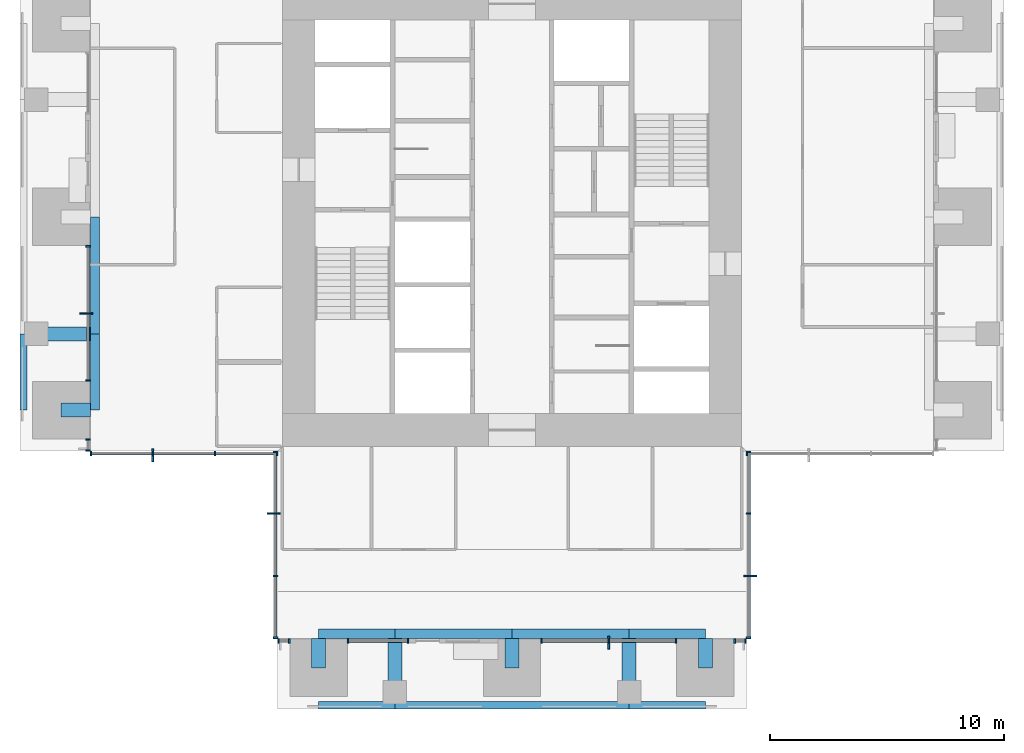
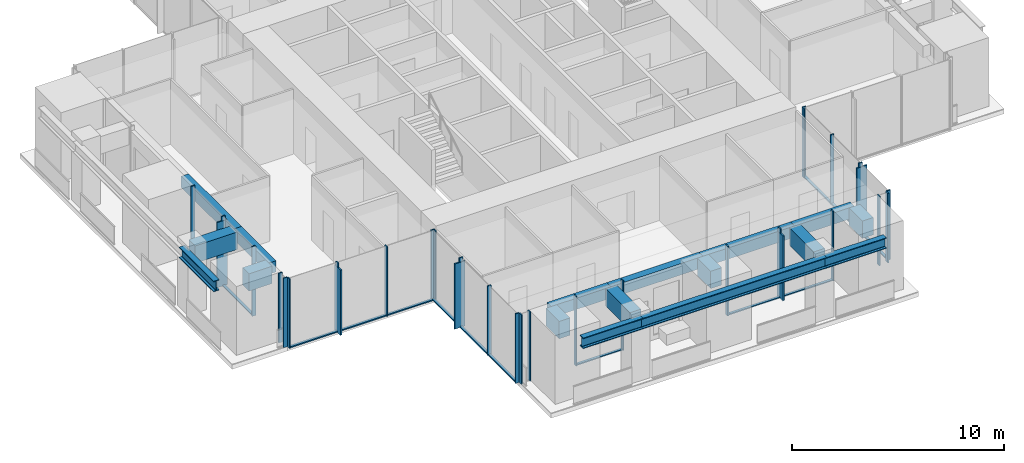
# One storey, part 2 of 17: 46 members, 17 beams, 10 elements without a shape of their own.
"""IFC4 building model written with IfcOpenShell, lengths in metres."""

from ifc_helpers import new_model, si_unit, direction, frame, origin, origin_2d, place, context, subcontext, project, spatial, rectangle, i_section, extrude, material, material_profile, profile_set, type_object, element, aggregate, save


model = new_model("IFC4")

# Units and contexts
model_context = context("Model", 3, precision=1e-05, world=origin(), true_north=direction((0.0, 1.0)))
body_context = subcontext(model_context, "Body", "Model", "MODEL_VIEW")
ifc_project = project(units=[si_unit("LENGTHUNIT", "METRE"), si_unit("AREAUNIT", "SQUARE_METRE"), si_unit("VOLUMEUNIT", "CUBIC_METRE"), si_unit("PLANEANGLEUNIT", "RADIAN"), si_unit("MASSUNIT", "GRAM", prefix="KILO")], contexts=[model_context])

# Site, building, storey
site_placement = place(None, origin())
site = spatial("IfcSite", under=ifc_project, at=site_placement, CompositionType="ELEMENT")
building_placement = place(site_placement, origin())
building = spatial("IfcBuilding", under=site, at=building_placement, Name="Svetlomir Tower", CompositionType="ELEMENT")
storey_placement = place(building_placement, frame((0.0, 0.0, 198.5)))
storey = spatial("IfcBuildingStorey", under=building, at=storey_placement, Name="L47", CompositionType="ELEMENT", Elevation=198.5)

# Curtain wall, member
ifc_material_1 = material(Name="Bronze anodised aluminium curtain wall", Category="aluminium")
curtain_wall_type = type_object("IfcCurtainWallType", Name="CURTAIN WALL CW1 TOWER OFFICE", PredefinedType="NOTDEFINED", material=ifc_material_1)
curtain_wall_1_placement = place(storey_placement, origin())
curtain_wall_1 = element("IfcCurtainWall", 1, at=curtain_wall_1_placement, inside=storey, type_object=curtain_wall_type, Name="Curtain wall CW1 L47", PredefinedType="NOTDEFINED")
ifc_material_2 = material(Name="Bronze anodised aluminium", Category="aluminium")
ifc_material_profile_1 = material_profile(ifc_material_2, rectangle(XDim=0.080078125, YDim=0.550048828125, at=origin_2d()), Name="FIN 80x550")
ifc_profile_set_1 = profile_set([ifc_material_profile_1], Name="Bronze anodised aluminium 6063-T6")
member_type_1 = type_object("IfcMemberType", Name="BRONZE FIN 80x550", PredefinedType="USERDEFINED", material=ifc_profile_set_1)
member_1_placement = place(storey_placement, frame((25.125, 2.824951171875, 0.0), z_axis=(0.0, 0.0, 1.0), x_axis=(1.0, 0.0, 0.0)))
member_1 = element("IfcMember", 2, at=member_1_placement, type_object=member_type_1, Name="Bronze fin L47", ObjectType="FIN", PredefinedType="USERDEFINED", context=body_context, shape_type="SweptSolid", body=[
    extrude(rectangle(XDim=0.080078125, YDim=0.550048828125, at=origin_2d()), origin(), (0.0, 0.0, 1.0), 3.75),
])

curtain_wall_2_placement = place(storey_placement, origin())
curtain_wall_2 = element("IfcCurtainWall", 3, at=curtain_wall_2_placement, inside=storey, type_object=curtain_wall_type, Name="Curtain wall CW1 L47", PredefinedType="NOTDEFINED")
member_2_placement = place(storey_placement, frame((31.175048828125, 5.666748046875, 0.0), z_axis=(0.0, 0.0, 1.0), x_axis=(0.0, 1.0, 0.0)))
member_2 = element("IfcMember", 4, at=member_2_placement, type_object=member_type_1, Name="Bronze fin L47", ObjectType="FIN", PredefinedType="USERDEFINED", context=body_context, shape_type="SweptSolid", body=[
    extrude(rectangle(XDim=0.080078125, YDim=0.550048828125, at=origin_2d()), origin(), (0.0, 0.0, 1.0), 3.75),
])

curtain_wall_3_placement = place(storey_placement, origin())
curtain_wall_3 = element("IfcCurtainWall", 5, at=curtain_wall_3_placement, inside=storey, type_object=curtain_wall_type, Name="Curtain wall CW1 L47", PredefinedType="NOTDEFINED")
member_3_placement = place(storey_placement, frame((2.824951171875, 16.875, 0.0), z_axis=(0.0, 0.0, 1.0), x_axis=(0.0, 1.0, 0.0)))
member_3 = element("IfcMember", 6, at=member_3_placement, type_object=member_type_1, Name="Bronze fin L47", ObjectType="FIN", PredefinedType="USERDEFINED", context=body_context, shape_type="SweptSolid", body=[
    extrude(rectangle(XDim=0.080078125, YDim=0.550048828125, at=origin_2d()), origin(), (0.0, 0.0, 1.0), 3.75),
])

curtain_wall_4_placement = place(storey_placement, origin())
curtain_wall_4 = element("IfcCurtainWall", 7, at=curtain_wall_4_placement, inside=storey, type_object=curtain_wall_type, Name="Curtain wall CW1 L47", PredefinedType="NOTDEFINED")
member_4_placement = place(storey_placement, frame((5.666748046875, 10.824951171875, 0.0), z_axis=(0.0, 0.0, 1.0), x_axis=(1.0, 0.0, 0.0)))
member_4 = element("IfcMember", 8, at=member_4_placement, type_object=member_type_1, Name="Bronze fin L47", ObjectType="FIN", PredefinedType="USERDEFINED", context=body_context, shape_type="SweptSolid", body=[
    extrude(rectangle(XDim=0.080078125, YDim=0.550048828125, at=origin_2d()), origin(), (0.0, 0.0, 1.0), 3.75),
])

curtain_wall_5_placement = place(storey_placement, origin())
curtain_wall_5 = element("IfcCurtainWall", 9, at=curtain_wall_5_placement, inside=storey, type_object=curtain_wall_type, Name="Curtain wall CW1 L47", PredefinedType="NOTDEFINED")
member_5_placement = place(storey_placement, frame((10.824951171875, 8.333251953125, 0.0), z_axis=(0.0, 0.0, 1.0), x_axis=(0.0, 1.0, 0.0)))
member_5 = element("IfcMember", 10, at=member_5_placement, type_object=member_type_1, Name="Bronze fin L47", ObjectType="FIN", PredefinedType="USERDEFINED", context=body_context, shape_type="SweptSolid", body=[
    extrude(rectangle(XDim=0.080078125, YDim=0.550048828125, at=origin_2d()), origin(), (0.0, 0.0, 1.0), 3.75),
])

# Curtain wall, members
curtain_wall_6_placement = place(storey_placement, origin())
curtain_wall_6 = element("IfcCurtainWall", 11, at=curtain_wall_6_placement, inside=storey, type_object=curtain_wall_type, Name="Curtain wall CW1 L47", PredefinedType="NOTDEFINED")
ifc_material_3 = material(Name="Bronze anodised aluminium", Category="aluminium")
ifc_material_profile_2 = material_profile(ifc_material_3, rectangle(XDim=0.06494140625, YDim=0.199951171875, at=origin_2d()), Name="AL 65x200")
ifc_profile_set_2 = profile_set([ifc_material_profile_2], Name="Bronze anodised aluminium 6063-T6")
member_type_2 = type_object("IfcMemberType", Name="CW1 MULLION 65x200", PredefinedType="MULLION", material=ifc_profile_set_2)
member_6_placement = place(storey_placement, frame((11.032470703125, 2.89990234375, 0.0), z_axis=(0.0, 0.0, 1.0), x_axis=(1.0, 0.0, 0.0)))
member_6 = element("IfcMember", 12, at=member_6_placement, type_object=member_type_2, Name="CW1 mullion 1", PredefinedType="MULLION", context=body_context, shape_type="SweptSolid", body=[
    extrude(rectangle(XDim=0.06494140625, YDim=0.199951171875, at=origin_2d()), origin(), (0.0, 0.0, 1.0), 4.0),
])
member_7_placement = place(storey_placement, frame((11.492431640625, 2.89990234375, 0.0), z_axis=(0.0, 0.0, 1.0), x_axis=(1.0, 0.0, 0.0)))
member_7 = element("IfcMember", 13, at=member_7_placement, type_object=member_type_2, Name="CW1 mullion 2", PredefinedType="MULLION", context=body_context, shape_type="SweptSolid", body=[
    extrude(rectangle(XDim=0.06494140625, YDim=0.199951171875, at=origin_2d()), origin(), (0.0, 0.0, 1.0), 4.0),
])
aggregate(curtain_wall_6, [member_6, member_7])

curtain_wall_7_placement = place(storey_placement, origin())
curtain_wall_7 = element("IfcCurtainWall", 14, at=curtain_wall_7_placement, inside=storey, type_object=curtain_wall_type, Name="Curtain wall CW1 L47", PredefinedType="NOTDEFINED")
member_8_placement = place(storey_placement, frame((14.007568359375, 2.89990234375, 0.0), z_axis=(0.0, 0.0, 1.0), x_axis=(1.0, 0.0, 0.0)))
member_8 = element("IfcMember", 15, at=member_8_placement, type_object=member_type_2, Name="CW1 mullion 1", PredefinedType="MULLION", context=body_context, shape_type="SweptSolid", body=[
    extrude(rectangle(XDim=0.06494140625, YDim=0.199951171875, at=origin_2d()), origin(), (0.0, 0.0, 1.0), 4.0),
])
member_9_placement = place(storey_placement, frame((16.5673828125, 2.89990234375, 0.0), z_axis=(0.0, 0.0, 1.0), x_axis=(1.0, 0.0, 0.0)))
member_9 = element("IfcMember", 16, at=member_9_placement, type_object=member_type_2, Name="CW1 mullion 2", PredefinedType="MULLION", context=body_context, shape_type="SweptSolid", body=[
    extrude(rectangle(XDim=0.06494140625, YDim=0.199951171875, at=origin_2d()), origin(), (0.0, 0.0, 1.0), 4.0),
])

# Member
member_10_placement = place(storey_placement, frame((22.257568359375, 2.89990234375, 0.0), z_axis=(0.0, 0.0, 1.0), x_axis=(1.0, 0.0, 0.0)))
member_10 = element("IfcMember", 17, at=member_10_placement, type_object=member_type_2, Name="CW1 mullion 1", PredefinedType="MULLION", context=body_context, shape_type="SweptSolid", body=[
    extrude(rectangle(XDim=0.06494140625, YDim=0.199951171875, at=origin_2d()), origin(), (0.0, 0.0, 1.0), 4.0),
])

member_11_placement = place(storey_placement, frame((25.125, 2.89990234375, 0.0), z_axis=(0.0, 0.0, 1.0), x_axis=(1.0, 0.0, 0.0)))
member_11 = element("IfcMember", 18, at=member_11_placement, type_object=member_type_2, Name="CW1 mullion 2", PredefinedType="MULLION", context=body_context, shape_type="SweptSolid", body=[
    extrude(rectangle(XDim=0.06494140625, YDim=0.199951171875, at=origin_2d()), origin(), (0.0, 0.0, 1.0), 4.0),
])

member_12_placement = place(storey_placement, frame((27.992431640625, 2.89990234375, 0.0), z_axis=(0.0, 0.0, 1.0), x_axis=(1.0, 0.0, 0.0)))
member_12 = element("IfcMember", 19, at=member_12_placement, type_object=member_type_2, Name="CW1 mullion 3", PredefinedType="MULLION", context=body_context, shape_type="SweptSolid", body=[
    extrude(rectangle(XDim=0.06494140625, YDim=0.199951171875, at=origin_2d()), origin(), (0.0, 0.0, 1.0), 4.0),
])

# Curtain wall, members
curtain_wall_8_placement = place(storey_placement, origin())
curtain_wall_8 = element("IfcCurtainWall", 20, at=curtain_wall_8_placement, inside=storey, type_object=curtain_wall_type, Name="Curtain wall CW1 L47", PredefinedType="NOTDEFINED")
member_13_placement = place(storey_placement, frame((30.507568359375, 2.89990234375, 0.0), z_axis=(0.0, 0.0, 1.0), x_axis=(1.0, 0.0, 0.0)))
member_13 = element("IfcMember", 21, at=member_13_placement, type_object=member_type_2, Name="CW1 mullion 1", PredefinedType="MULLION", context=body_context, shape_type="SweptSolid", body=[
    extrude(rectangle(XDim=0.06494140625, YDim=0.199951171875, at=origin_2d()), origin(), (0.0, 0.0, 1.0), 4.0),
])
member_14_placement = place(storey_placement, frame((30.967529296875, 2.89990234375, 0.0), z_axis=(0.0, 0.0, 1.0), x_axis=(1.0, 0.0, 0.0)))
member_14 = element("IfcMember", 22, at=member_14_placement, type_object=member_type_2, Name="CW1 mullion 2", PredefinedType="MULLION", context=body_context, shape_type="SweptSolid", body=[
    extrude(rectangle(XDim=0.06494140625, YDim=0.199951171875, at=origin_2d()), origin(), (0.0, 0.0, 1.0), 4.0),
])
aggregate(curtain_wall_8, [member_13, member_14])

# Member
member_15_placement = place(storey_placement, frame((31.10009765625, 3.032470703125, 0.0), z_axis=(0.0, 0.0, 1.0), x_axis=(0.0, 1.0, 0.0)))
member_15 = element("IfcMember", 23, at=member_15_placement, type_object=member_type_2, Name="CW1 mullion 1", PredefinedType="MULLION", context=body_context, shape_type="SweptSolid", body=[
    extrude(rectangle(XDim=0.06494140625, YDim=0.199951171875, at=origin_2d()), origin(), (0.0, 0.0, 1.0), 4.0),
])

member_16_placement = place(storey_placement, frame((31.10009765625, 5.666748046875, 0.0), z_axis=(0.0, 0.0, 1.0), x_axis=(0.0, 1.0, 0.0)))
member_16 = element("IfcMember", 24, at=member_16_placement, type_object=member_type_2, Name="CW1 mullion 2", PredefinedType="MULLION", context=body_context, shape_type="SweptSolid", body=[
    extrude(rectangle(XDim=0.06494140625, YDim=0.199951171875, at=origin_2d()), origin(), (0.0, 0.0, 1.0), 4.0),
])

member_17_placement = place(storey_placement, frame((31.10009765625, 8.333251953125, 0.0), z_axis=(0.0, 0.0, 1.0), x_axis=(0.0, 1.0, 0.0)))
member_17 = element("IfcMember", 25, at=member_17_placement, type_object=member_type_2, Name="CW1 mullion 3", PredefinedType="MULLION", context=body_context, shape_type="SweptSolid", body=[
    extrude(rectangle(XDim=0.06494140625, YDim=0.199951171875, at=origin_2d()), origin(), (0.0, 0.0, 1.0), 4.0),
])

member_18_placement = place(storey_placement, frame((31.10009765625, 10.967529296875, 0.0), z_axis=(0.0, 0.0, 1.0), x_axis=(0.0, 1.0, 0.0)))
member_18 = element("IfcMember", 26, at=member_18_placement, type_object=member_type_2, Name="CW1 mullion 4", PredefinedType="MULLION", context=body_context, shape_type="SweptSolid", body=[
    extrude(rectangle(XDim=0.06494140625, YDim=0.199951171875, at=origin_2d()), origin(), (0.0, 0.0, 1.0), 4.0),
])

# Curtain wall, member
curtain_wall_9_placement = place(storey_placement, origin())
curtain_wall_9 = element("IfcCurtainWall", 27, at=curtain_wall_9_placement, inside=storey, type_object=curtain_wall_type, Name="Curtain wall CW1 L47", PredefinedType="NOTDEFINED")
member_19_placement = place(storey_placement, frame((31.032470703125, 10.89990234375, 0.0), z_axis=(0.0, 0.0, 1.0), x_axis=(1.0, 0.0, 0.0)))
member_19 = element("IfcMember", 28, at=member_19_placement, type_object=member_type_2, Name="CW1 mullion 1", PredefinedType="MULLION", context=body_context, shape_type="SweptSolid", body=[
    extrude(rectangle(XDim=0.06494140625, YDim=0.199951171875, at=origin_2d()), origin(), (0.0, 0.0, 1.0), 4.0),
])
aggregate(curtain_wall_9, [member_19])

# Member
member_20_placement = place(storey_placement, frame((2.89990234375, 19.742431640625, 0.0), z_axis=(0.0, 0.0, 1.0), x_axis=(0.0, -1.0, 0.0)))
member_20 = element("IfcMember", 29, at=member_20_placement, type_object=member_type_2, Name="CW1 mullion 1", PredefinedType="MULLION", context=body_context, shape_type="SweptSolid", body=[
    extrude(rectangle(XDim=0.06494140625, YDim=0.199951171875, at=origin_2d()), origin(), (0.0, 0.0, 1.0), 4.0),
])

member_21_placement = place(storey_placement, frame((2.89990234375, 16.875, 0.0), z_axis=(0.0, 0.0, 1.0), x_axis=(0.0, -1.0, 0.0)))
member_21 = element("IfcMember", 30, at=member_21_placement, type_object=member_type_2, Name="CW1 mullion 2", PredefinedType="MULLION", context=body_context, shape_type="SweptSolid", body=[
    extrude(rectangle(XDim=0.06494140625, YDim=0.199951171875, at=origin_2d()), origin(), (0.0, 0.0, 1.0), 4.0),
])

member_22_placement = place(storey_placement, frame((2.89990234375, 14.007568359375, 0.0), z_axis=(0.0, 0.0, 1.0), x_axis=(0.0, -1.0, 0.0)))
member_22 = element("IfcMember", 31, at=member_22_placement, type_object=member_type_2, Name="CW1 mullion 3", PredefinedType="MULLION", context=body_context, shape_type="SweptSolid", body=[
    extrude(rectangle(XDim=0.06494140625, YDim=0.199951171875, at=origin_2d()), origin(), (0.0, 0.0, 1.0), 4.0),
])

# Curtain wall, members
curtain_wall_10_placement = place(storey_placement, origin())
curtain_wall_10 = element("IfcCurtainWall", 32, at=curtain_wall_10_placement, inside=storey, type_object=curtain_wall_type, Name="Curtain wall CW1 L47", PredefinedType="NOTDEFINED")
member_23_placement = place(storey_placement, frame((2.89990234375, 11.492431640625, 0.0), z_axis=(0.0, 0.0, 1.0), x_axis=(0.0, -1.0, 0.0)))
member_23 = element("IfcMember", 33, at=member_23_placement, type_object=member_type_2, Name="CW1 mullion 1", PredefinedType="MULLION", context=body_context, shape_type="SweptSolid", body=[
    extrude(rectangle(XDim=0.06494140625, YDim=0.199951171875, at=origin_2d()), origin(), (0.0, 0.0, 1.0), 4.0),
])
member_24_placement = place(storey_placement, frame((2.89990234375, 11.032470703125, 0.0), z_axis=(0.0, 0.0, 1.0), x_axis=(0.0, -1.0, 0.0)))
member_24 = element("IfcMember", 34, at=member_24_placement, type_object=member_type_2, Name="CW1 mullion 2", PredefinedType="MULLION", context=body_context, shape_type="SweptSolid", body=[
    extrude(rectangle(XDim=0.06494140625, YDim=0.199951171875, at=origin_2d()), origin(), (0.0, 0.0, 1.0), 4.0),
])
aggregate(curtain_wall_10, [member_23, member_24])

# Member
member_25_placement = place(storey_placement, frame((3.032470703125, 10.89990234375, 0.0), z_axis=(0.0, 0.0, 1.0), x_axis=(1.0, 0.0, 0.0)))
member_25 = element("IfcMember", 35, at=member_25_placement, type_object=member_type_2, Name="CW1 mullion 1", PredefinedType="MULLION", context=body_context, shape_type="SweptSolid", body=[
    extrude(rectangle(XDim=0.06494140625, YDim=0.199951171875, at=origin_2d()), origin(), (0.0, 0.0, 1.0), 4.0),
])

member_26_placement = place(storey_placement, frame((5.666748046875, 10.89990234375, 0.0), z_axis=(0.0, 0.0, 1.0), x_axis=(1.0, 0.0, 0.0)))
member_26 = element("IfcMember", 36, at=member_26_placement, type_object=member_type_2, Name="CW1 mullion 2", PredefinedType="MULLION", context=body_context, shape_type="SweptSolid", body=[
    extrude(rectangle(XDim=0.06494140625, YDim=0.199951171875, at=origin_2d()), origin(), (0.0, 0.0, 1.0), 4.0),
])

member_27_placement = place(storey_placement, frame((8.333251953125, 10.89990234375, 0.0), z_axis=(0.0, 0.0, 1.0), x_axis=(1.0, 0.0, 0.0)))
member_27 = element("IfcMember", 37, at=member_27_placement, type_object=member_type_2, Name="CW1 mullion 3", PredefinedType="MULLION", context=body_context, shape_type="SweptSolid", body=[
    extrude(rectangle(XDim=0.06494140625, YDim=0.199951171875, at=origin_2d()), origin(), (0.0, 0.0, 1.0), 4.0),
])

member_28_placement = place(storey_placement, frame((10.967529296875, 10.89990234375, 0.0), z_axis=(0.0, 0.0, 1.0), x_axis=(1.0, 0.0, 0.0)))
member_28 = element("IfcMember", 38, at=member_28_placement, type_object=member_type_2, Name="CW1 mullion 4", PredefinedType="MULLION", context=body_context, shape_type="SweptSolid", body=[
    extrude(rectangle(XDim=0.06494140625, YDim=0.199951171875, at=origin_2d()), origin(), (0.0, 0.0, 1.0), 4.0),
])

member_29_placement = place(storey_placement, frame((10.89990234375, 10.967529296875, 0.0), z_axis=(0.0, 0.0, 1.0), x_axis=(0.0, -1.0, 0.0)))
member_29 = element("IfcMember", 39, at=member_29_placement, type_object=member_type_2, Name="CW1 mullion 1", PredefinedType="MULLION", context=body_context, shape_type="SweptSolid", body=[
    extrude(rectangle(XDim=0.06494140625, YDim=0.199951171875, at=origin_2d()), origin(), (0.0, 0.0, 1.0), 4.0),
])

member_30_placement = place(storey_placement, frame((10.89990234375, 8.333251953125, 0.0), z_axis=(0.0, 0.0, 1.0), x_axis=(0.0, -1.0, 0.0)))
member_30 = element("IfcMember", 40, at=member_30_placement, type_object=member_type_2, Name="CW1 mullion 2", PredefinedType="MULLION", context=body_context, shape_type="SweptSolid", body=[
    extrude(rectangle(XDim=0.06494140625, YDim=0.199951171875, at=origin_2d()), origin(), (0.0, 0.0, 1.0), 4.0),
])

member_31_placement = place(storey_placement, frame((10.89990234375, 5.666748046875, 0.0), z_axis=(0.0, 0.0, 1.0), x_axis=(0.0, -1.0, 0.0)))
member_31 = element("IfcMember", 41, at=member_31_placement, type_object=member_type_2, Name="CW1 mullion 3", PredefinedType="MULLION", context=body_context, shape_type="SweptSolid", body=[
    extrude(rectangle(XDim=0.06494140625, YDim=0.199951171875, at=origin_2d()), origin(), (0.0, 0.0, 1.0), 4.0),
])

member_32_placement = place(storey_placement, frame((10.89990234375, 3.032470703125, 0.0), z_axis=(0.0, 0.0, 1.0), x_axis=(0.0, -1.0, 0.0)))
member_32 = element("IfcMember", 42, at=member_32_placement, type_object=member_type_2, Name="CW1 mullion 4", PredefinedType="MULLION", context=body_context, shape_type="SweptSolid", body=[
    extrude(rectangle(XDim=0.06494140625, YDim=0.199951171875, at=origin_2d()), origin(), (0.0, 0.0, 1.0), 4.0),
])

ifc_material_4 = material(Name="Bronze anodised aluminium", Category="aluminium")
ifc_material_profile_3 = material_profile(ifc_material_4, rectangle(XDim=0.139892578125, YDim=0.06494140625, at=origin_2d()), Name="AL 140x65")
ifc_profile_set_3 = profile_set([ifc_material_profile_3], Name="Bronze anodised aluminium 6063-T6")
member_type_3 = type_object("IfcMemberType", Name="CW1 TRANSOM 65x140", PredefinedType="USERDEFINED", material=ifc_profile_set_3)
member_33_placement = place(storey_placement, frame((14.0400390625, 2.89990234375, 0.032470703125), z_axis=(1.0, 0.0, 0.0), x_axis=(0.0, 1.0, 0.0)))
member_33 = element("IfcMember", 43, at=member_33_placement, type_object=member_type_3, Name="CW1 transom 1.1", ObjectType="TRANSOM", PredefinedType="USERDEFINED", context=body_context, shape_type="SweptSolid", body=[
    extrude(rectangle(XDim=0.139892578125, YDim=0.06494140625, at=origin_2d()), origin(), (0.0, 0.0, 1.0), 2.494873046875),
])

aggregate(curtain_wall_7, [member_8, member_9, member_33])

member_34_placement = place(storey_placement, frame((22.2900390625, 2.89990234375, 0.032470703125), z_axis=(1.0, 0.0, 0.0), x_axis=(0.0, 1.0, 0.0)))
member_34 = element("IfcMember", 44, at=member_34_placement, type_object=member_type_3, Name="CW1 transom 1.1", ObjectType="TRANSOM", PredefinedType="USERDEFINED", context=body_context, shape_type="SweptSolid", body=[
    extrude(rectangle(XDim=0.139892578125, YDim=0.06494140625, at=origin_2d()), origin(), (0.0, 0.0, 1.0), 2.802490234375),
])

member_35_placement = place(storey_placement, frame((25.157470703125, 2.89990234375, 0.032470703125), z_axis=(1.0, 0.0, 0.0), x_axis=(0.0, 1.0, 0.0)))
member_35 = element("IfcMember", 45, at=member_35_placement, type_object=member_type_3, Name="CW1 transom 2.1", ObjectType="TRANSOM", PredefinedType="USERDEFINED", context=body_context, shape_type="SweptSolid", body=[
    extrude(rectangle(XDim=0.139892578125, YDim=0.06494140625, at=origin_2d()), origin(), (0.0, 0.0, 1.0), 2.802490234375),
])

aggregate(curtain_wall_1, [member_10, member_11, member_12, member_34, member_35, member_1])

member_36_placement = place(storey_placement, frame((31.10009765625, 3.06494140625, 0.032470703125), z_axis=(0.0, 1.0, 0.0), x_axis=(-1.0, 0.0, 0.0)))
member_36 = element("IfcMember", 46, at=member_36_placement, type_object=member_type_3, Name="CW1 transom 1.1", ObjectType="TRANSOM", PredefinedType="USERDEFINED", context=body_context, shape_type="SweptSolid", body=[
    extrude(rectangle(XDim=0.139892578125, YDim=0.06494140625, at=origin_2d()), origin(), (0.0, 0.0, 1.0), 2.5693359375),
])

member_37_placement = place(storey_placement, frame((31.10009765625, 5.69921875, 0.032470703125), z_axis=(0.0, 1.0, 0.0), x_axis=(-1.0, 0.0, 0.0)))
member_37 = element("IfcMember", 47, at=member_37_placement, type_object=member_type_3, Name="CW1 transom 2.1", ObjectType="TRANSOM", PredefinedType="USERDEFINED", context=body_context, shape_type="SweptSolid", body=[
    extrude(rectangle(XDim=0.139892578125, YDim=0.06494140625, at=origin_2d()), origin(), (0.0, 0.0, 1.0), 2.6015625),
])

member_38_placement = place(storey_placement, frame((31.10009765625, 8.36572265625, 0.032470703125), z_axis=(0.0, 1.0, 0.0), x_axis=(-1.0, 0.0, 0.0)))
member_38 = element("IfcMember", 48, at=member_38_placement, type_object=member_type_3, Name="CW1 transom 3.1", ObjectType="TRANSOM", PredefinedType="USERDEFINED", context=body_context, shape_type="SweptSolid", body=[
    extrude(rectangle(XDim=0.139892578125, YDim=0.06494140625, at=origin_2d()), origin(), (0.0, 0.0, 1.0), 2.5693359375),
])

aggregate(curtain_wall_2, [member_15, member_16, member_17, member_18, member_36, member_37, member_38, member_2])

member_39_placement = place(storey_placement, frame((2.89990234375, 19.7099609375, 0.032470703125), z_axis=(0.0, -1.0, 0.0), x_axis=(1.0, 0.0, 0.0)))
member_39 = element("IfcMember", 49, at=member_39_placement, type_object=member_type_3, Name="CW1 transom 1.1", ObjectType="TRANSOM", PredefinedType="USERDEFINED", context=body_context, shape_type="SweptSolid", body=[
    extrude(rectangle(XDim=0.139892578125, YDim=0.06494140625, at=origin_2d()), origin(), (0.0, 0.0, 1.0), 2.802490234375),
])

member_40_placement = place(storey_placement, frame((2.89990234375, 16.842529296875, 0.032470703125), z_axis=(0.0, -1.0, 0.0), x_axis=(1.0, 0.0, 0.0)))
member_40 = element("IfcMember", 50, at=member_40_placement, type_object=member_type_3, Name="CW1 transom 2.1", ObjectType="TRANSOM", PredefinedType="USERDEFINED", context=body_context, shape_type="SweptSolid", body=[
    extrude(rectangle(XDim=0.139892578125, YDim=0.06494140625, at=origin_2d()), origin(), (0.0, 0.0, 1.0), 2.802490234375),
])

aggregate(curtain_wall_3, [member_20, member_21, member_22, member_39, member_40, member_3])

member_41_placement = place(storey_placement, frame((3.06494140625, 10.89990234375, 0.032470703125), z_axis=(1.0, 0.0, 0.0), x_axis=(0.0, 1.0, 0.0)))
member_41 = element("IfcMember", 51, at=member_41_placement, type_object=member_type_3, Name="CW1 transom 1.1", ObjectType="TRANSOM", PredefinedType="USERDEFINED", context=body_context, shape_type="SweptSolid", body=[
    extrude(rectangle(XDim=0.139892578125, YDim=0.06494140625, at=origin_2d()), origin(), (0.0, 0.0, 1.0), 2.5693359375),
])

member_42_placement = place(storey_placement, frame((5.69921875, 10.89990234375, 0.032470703125), z_axis=(1.0, 0.0, 0.0), x_axis=(0.0, 1.0, 0.0)))
member_42 = element("IfcMember", 52, at=member_42_placement, type_object=member_type_3, Name="CW1 transom 2.1", ObjectType="TRANSOM", PredefinedType="USERDEFINED", context=body_context, shape_type="SweptSolid", body=[
    extrude(rectangle(XDim=0.139892578125, YDim=0.06494140625, at=origin_2d()), origin(), (0.0, 0.0, 1.0), 2.6015625),
])

member_43_placement = place(storey_placement, frame((8.36572265625, 10.89990234375, 0.032470703125), z_axis=(1.0, 0.0, 0.0), x_axis=(0.0, 1.0, 0.0)))
member_43 = element("IfcMember", 53, at=member_43_placement, type_object=member_type_3, Name="CW1 transom 3.1", ObjectType="TRANSOM", PredefinedType="USERDEFINED", context=body_context, shape_type="SweptSolid", body=[
    extrude(rectangle(XDim=0.139892578125, YDim=0.06494140625, at=origin_2d()), origin(), (0.0, 0.0, 1.0), 2.5693359375),
])

aggregate(curtain_wall_4, [member_25, member_26, member_27, member_28, member_41, member_42, member_43, member_4])

member_44_placement = place(storey_placement, frame((10.89990234375, 10.93505859375, 0.032470703125), z_axis=(0.0, -1.0, 0.0), x_axis=(1.0, 0.0, 0.0)))
member_44 = element("IfcMember", 54, at=member_44_placement, type_object=member_type_3, Name="CW1 transom 1.1", ObjectType="TRANSOM", PredefinedType="USERDEFINED", context=body_context, shape_type="SweptSolid", body=[
    extrude(rectangle(XDim=0.139892578125, YDim=0.06494140625, at=origin_2d()), origin(), (0.0, 0.0, 1.0), 2.5693359375),
])

member_45_placement = place(storey_placement, frame((10.89990234375, 8.30078125, 0.032470703125), z_axis=(0.0, -1.0, 0.0), x_axis=(1.0, 0.0, 0.0)))
member_45 = element("IfcMember", 55, at=member_45_placement, type_object=member_type_3, Name="CW1 transom 2.1", ObjectType="TRANSOM", PredefinedType="USERDEFINED", context=body_context, shape_type="SweptSolid", body=[
    extrude(rectangle(XDim=0.139892578125, YDim=0.06494140625, at=origin_2d()), origin(), (0.0, 0.0, 1.0), 2.6015625),
])

member_46_placement = place(storey_placement, frame((10.89990234375, 5.63427734375, 0.032470703125), z_axis=(0.0, -1.0, 0.0), x_axis=(1.0, 0.0, 0.0)))
member_46 = element("IfcMember", 56, at=member_46_placement, type_object=member_type_3, Name="CW1 transom 3.1", ObjectType="TRANSOM", PredefinedType="USERDEFINED", context=body_context, shape_type="SweptSolid", body=[
    extrude(rectangle(XDim=0.139892578125, YDim=0.06494140625, at=origin_2d()), origin(), (0.0, 0.0, 1.0), 2.5693359375),
])

aggregate(curtain_wall_5, [member_29, member_30, member_31, member_32, member_44, member_45, member_46, member_5])

# Beams
ifc_material_5 = material(Name="Steel S355", Category="steel")
ifc_material_profile_4 = material_profile(ifc_material_5, i_section(OverallWidth=0.304931640625, OverallDepth=0.6201171875, WebThickness=0.02099609375, FlangeThickness=0.0400390625, FilletRadius=0.027099609375, at=origin_2d()), Name="HEM 600")
ifc_profile_set_4 = profile_set([ifc_material_profile_4], Name="Steel S355")
beam_type_1 = type_object("IfcBeamType", Name="EDGE BEAM HEM 600", PredefinedType="SPANDREL", material=ifc_profile_set_4)
for number, where, z_axis, x_axis, name in (
    (57, (12.75, 0.152587890625, 3.43994140625), (1.0, 0.0, 0.0), (0.0, 1.0, 0.0), "Edge beam 11/0 to 16/0 under L48"),
    (58, (0.152587890625, 12.75, 3.43994140625), (0.0, 1.0, 0.0), (-1.0, 0.0, 0.0), "Edge beam 0/11 to 0/16 under L48"),
):
    element("IfcBeam", number, at=place(storey_placement, frame(where, z_axis=z_axis, x_axis=x_axis)), inside=storey, type_object=beam_type_1, Name=name, PredefinedType="SPANDREL", context=body_context, shape_type="SweptSolid", body=[
        extrude(i_section(OverallWidth=0.304931640625, OverallDepth=0.6201171875, WebThickness=0.02099609375, FlangeThickness=0.0400390625, FilletRadius=0.027099609375, at=origin_2d()), origin(), (0.0, 0.0, 1.0), 3.25),
    ])
beam_1_placement = place(storey_placement, frame((16.0, 0.152587890625, 3.43994140625), z_axis=(1.0, 0.0, 0.0), x_axis=(0.0, 1.0, 0.0)))
element("IfcBeam", 59, at=beam_1_placement, inside=storey, type_object=beam_type_1, Name="Edge beam 16/0 to 26/0 under L48", PredefinedType="SPANDREL", context=body_context, shape_type="SweptSolid", body=[
    extrude(i_section(OverallWidth=0.304931640625, OverallDepth=0.6201171875, WebThickness=0.02099609375, FlangeThickness=0.0400390625, FilletRadius=0.027099609375, at=origin_2d()), origin(), (0.0, 0.0, 1.0), 10.0),
])
beam_2_placement = place(storey_placement, frame((26.0, 0.152587890625, 3.43994140625), z_axis=(1.0, 0.0, 0.0), x_axis=(0.0, 1.0, 0.0)))
element("IfcBeam", 60, at=beam_2_placement, inside=storey, type_object=beam_type_1, Name="Edge beam 26/0 to 31/0 under L48", PredefinedType="SPANDREL", context=body_context, shape_type="SweptSolid", body=[
    extrude(i_section(OverallWidth=0.304931640625, OverallDepth=0.6201171875, WebThickness=0.02099609375, FlangeThickness=0.0400390625, FilletRadius=0.027099609375, at=origin_2d()), origin(), (0.0, 0.0, 1.0), 3.25),
])
ifc_material_6 = material(Name="Concrete C60/75", Category="concrete")
ifc_material_profile_5 = material_profile(ifc_material_6, rectangle(XDim=0.39990234375, YDim=0.64990234375, at=origin_2d()), Name="RC 400x650")
ifc_profile_set_5 = profile_set([ifc_material_profile_5], Name="Concrete C60/75")
beam_type_2 = type_object("IfcBeamType", Name="FACADE EDGE BEAM RC 400x650", PredefinedType="BEAM", material=ifc_profile_set_5)
beam_3_placement = place(storey_placement, frame((12.75, 3.199951171875, 3.425048828125), z_axis=(1.0, 0.0, 0.0), x_axis=(0.0, 1.0, 0.0)))
element("IfcBeam", 61, at=beam_3_placement, inside=storey, type_object=beam_type_2, Name="Facade edge beam S 11 to 16 under L48", PredefinedType="BEAM", context=body_context, shape_type="SweptSolid", body=[
    extrude(rectangle(XDim=0.39990234375, YDim=0.64990234375, at=origin_2d()), origin(), (0.0, 0.0, 1.0), 3.25),
])
for number, where, z_axis, x_axis, name in (
    (62, (16.0, 3.199951171875, 3.425048828125), (1.0, 0.0, 0.0), (0.0, 1.0, 0.0), "Facade edge beam S 16 to 21 under L48"),
    (63, (21.0, 3.199951171875, 3.425048828125), (1.0, 0.0, 0.0), (0.0, 1.0, 0.0), "Facade edge beam S 21 to 26 under L48"),
):
    element("IfcBeam", number, at=place(storey_placement, frame(where, z_axis=z_axis, x_axis=x_axis)), inside=storey, type_object=beam_type_2, Name=name, PredefinedType="BEAM", context=body_context, shape_type="SweptSolid", body=[
        extrude(rectangle(XDim=0.39990234375, YDim=0.64990234375, at=origin_2d()), origin(), (0.0, 0.0, 1.0), 5.0),
    ])
for number, where, z_axis, x_axis, name in (
    (64, (26.0, 3.199951171875, 3.425048828125), (1.0, 0.0, 0.0), (0.0, 1.0, 0.0), "Facade edge beam S 26 to 31 under L48"),
    (65, (3.199951171875, 12.75, 3.425048828125), (0.0, 1.0, 0.0), (-1.0, 0.0, 0.0), "Facade edge beam W 11 to 16 under L48"),
):
    element("IfcBeam", number, at=place(storey_placement, frame(where, z_axis=z_axis, x_axis=x_axis)), inside=storey, type_object=beam_type_2, Name=name, PredefinedType="BEAM", context=body_context, shape_type="SweptSolid", body=[
        extrude(rectangle(XDim=0.39990234375, YDim=0.64990234375, at=origin_2d()), origin(), (0.0, 0.0, 1.0), 3.25),
    ])
beam_4_placement = place(storey_placement, frame((3.199951171875, 16.0, 3.425048828125), z_axis=(0.0, 1.0, 0.0), x_axis=(-1.0, 0.0, 0.0)))
element("IfcBeam", 66, at=beam_4_placement, inside=storey, type_object=beam_type_2, Name="Facade edge beam W 16 to 21 under L48", PredefinedType="BEAM", context=body_context, shape_type="SweptSolid", body=[
    extrude(rectangle(XDim=0.39990234375, YDim=0.64990234375, at=origin_2d()), origin(), (0.0, 0.0, 1.0), 5.0),
])
ifc_material_7 = material(Name="Concrete C60/75", Category="concrete")
ifc_material_profile_6 = material_profile(ifc_material_7, rectangle(XDim=0.60009765625, YDim=1.0, at=origin_2d()), Name="RC 600x1000")
ifc_profile_set_6 = profile_set([ifc_material_profile_6], Name="Concrete C60/75")
beam_type_3 = type_object("IfcBeamType", Name="LOGGIA LINK BEAM RC 600x1000", PredefinedType="BEAM", material=ifc_profile_set_6)
beam_5_placement = place(storey_placement, frame((12.75, 1.75, 3.25), z_axis=(0.0, 1.0, 0.0), x_axis=(-1.0, 0.0, 0.0)))
element("IfcBeam", 67, at=beam_5_placement, inside=storey, type_object=beam_type_3, Name="Loggia link beam S 11 under L48", PredefinedType="BEAM", context=body_context, shape_type="SweptSolid", body=[
    extrude(rectangle(XDim=0.60009765625, YDim=1.0, at=origin_2d()), origin(), (0.0, 0.0, 1.0), 1.25),
])
beam_6_placement = place(storey_placement, frame((16.0, 0.699951171875, 3.25), z_axis=(0.0, 1.0, 0.0), x_axis=(-1.0, 0.0, 0.0)))
element("IfcBeam", 68, at=beam_6_placement, inside=storey, type_object=beam_type_3, Name="Loggia link beam S 16 under L48", PredefinedType="BEAM", context=body_context, shape_type="SweptSolid", body=[
    extrude(rectangle(XDim=0.60009765625, YDim=1.0, at=origin_2d()), origin(), (0.0, 0.0, 1.0), 2.300048828125),
])
beam_7_placement = place(storey_placement, frame((21.0, 1.75, 3.25), z_axis=(0.0, 1.0, 0.0), x_axis=(-1.0, 0.0, 0.0)))
element("IfcBeam", 69, at=beam_7_placement, inside=storey, type_object=beam_type_3, Name="Loggia link beam S 21 under L48", PredefinedType="BEAM", context=body_context, shape_type="SweptSolid", body=[
    extrude(rectangle(XDim=0.60009765625, YDim=1.0, at=origin_2d()), origin(), (0.0, 0.0, 1.0), 1.25),
])
beam_8_placement = place(storey_placement, frame((26.0, 0.699951171875, 3.25), z_axis=(0.0, 1.0, 0.0), x_axis=(-1.0, 0.0, 0.0)))
element("IfcBeam", 70, at=beam_8_placement, inside=storey, type_object=beam_type_3, Name="Loggia link beam S 26 under L48", PredefinedType="BEAM", context=body_context, shape_type="SweptSolid", body=[
    extrude(rectangle(XDim=0.60009765625, YDim=1.0, at=origin_2d()), origin(), (0.0, 0.0, 1.0), 2.300048828125),
])
for number, where, z_axis, x_axis, name in (
    (71, (29.25, 1.75, 3.25), (0.0, 1.0, 0.0), (-1.0, 0.0, 0.0), "Loggia link beam S 31 under L48"),
    (72, (1.75, 12.75, 3.25), (1.0, 0.0, 0.0), (0.0, 1.0, 0.0), "Loggia link beam W 11 under L48"),
):
    element("IfcBeam", number, at=place(storey_placement, frame(where, z_axis=z_axis, x_axis=x_axis)), inside=storey, type_object=beam_type_3, Name=name, PredefinedType="BEAM", context=body_context, shape_type="SweptSolid", body=[
        extrude(rectangle(XDim=0.60009765625, YDim=1.0, at=origin_2d()), origin(), (0.0, 0.0, 1.0), 1.25),
    ])
beam_9_placement = place(storey_placement, frame((0.699951171875, 16.0, 3.25), z_axis=(1.0, 0.0, 0.0), x_axis=(0.0, 1.0, 0.0)))
element("IfcBeam", 73, at=beam_9_placement, inside=storey, type_object=beam_type_3, Name="Loggia link beam W 16 under L48", PredefinedType="BEAM", context=body_context, shape_type="SweptSolid", body=[
    extrude(rectangle(XDim=0.60009765625, YDim=1.0, at=origin_2d()), origin(), (0.0, 0.0, 1.0), 2.300048828125),
])

save(model, "model.ifc")
